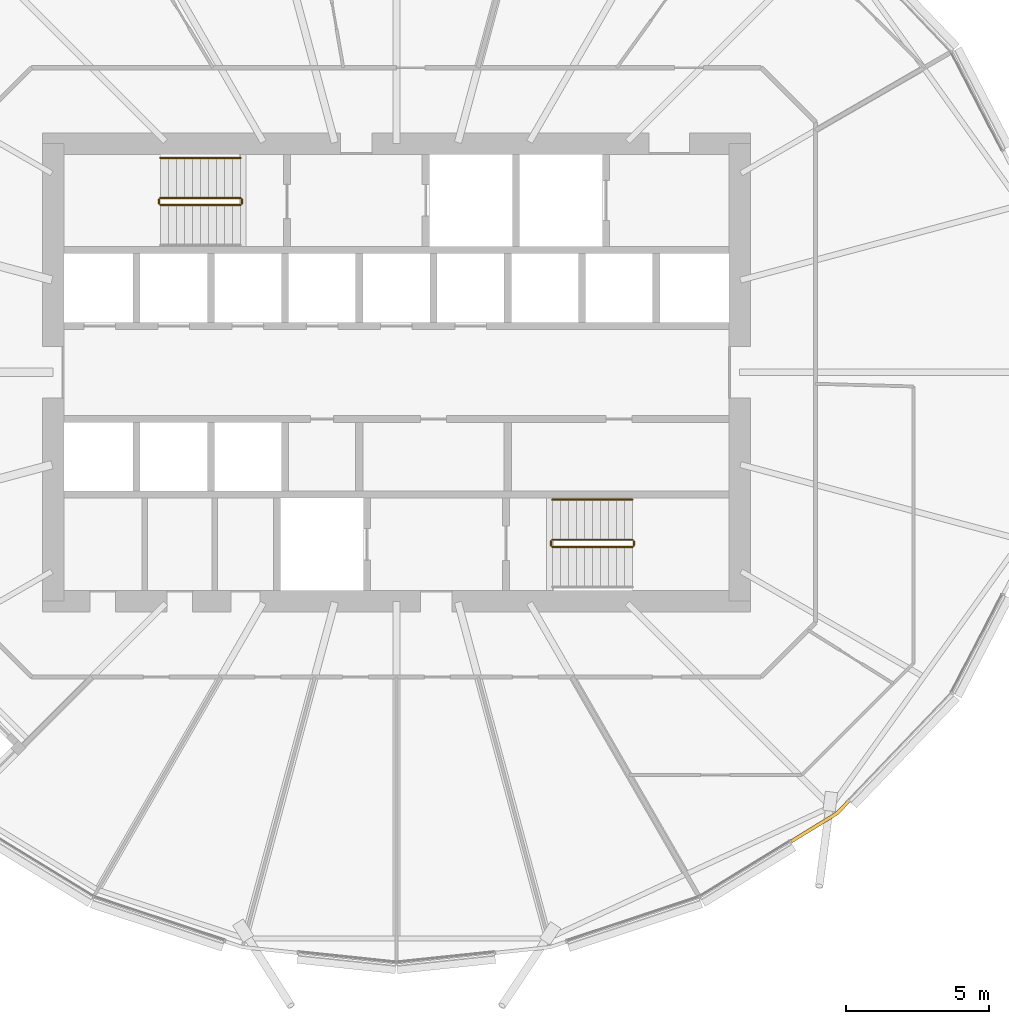
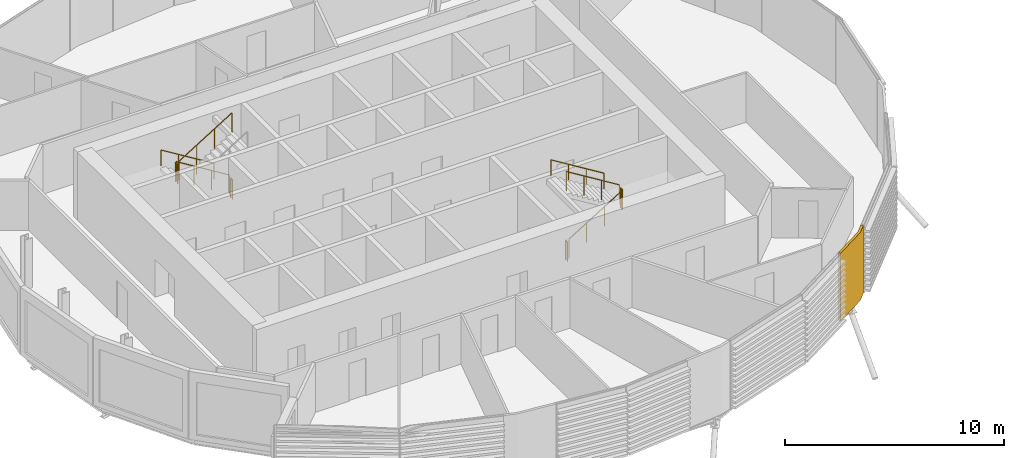
# One storey, part 34 of 38: 10 railings, 1 covering.
"""IFC4 building model written with IfcOpenShell, lengths in metres."""

from ifc_helpers import new_model, si_unit, direction, frame, origin, origin_2d, place, context, subcontext, project, spatial, polyline, circle, outline, extrude, material, layer, layer_set, type_object, element, save


model = new_model("IFC4")

# Units and contexts
model_context = context("Model", 3, precision=1e-05, world=origin(), true_north=direction((0.0, 1.0)))
body_context = subcontext(model_context, "Body", "Model", "MODEL_VIEW")
ifc_project = project(units=[si_unit("LENGTHUNIT", "METRE"), si_unit("AREAUNIT", "SQUARE_METRE"), si_unit("VOLUMEUNIT", "CUBIC_METRE"), si_unit("PLANEANGLEUNIT", "RADIAN"), si_unit("MASSUNIT", "GRAM", prefix="KILO")], contexts=[model_context])

# Site, building, storey
site_placement = place(None, origin())
site = spatial("IfcSite", under=ifc_project, at=site_placement, CompositionType="ELEMENT")
building_placement = place(site_placement, origin())
building = spatial("IfcBuilding", under=site, at=building_placement, Name="Rimbun Link Towers", CompositionType="ELEMENT")
storey_placement = place(building_placement, frame((0.0, 0.0, 123.39990234375)))
storey = spatial("IfcBuildingStorey", under=building, at=storey_placement, Name="L30", CompositionType="ELEMENT", Elevation=123.39990234375)

# Covering
ifc_material_1 = material(Name="Terracotta", Category="masonry")
ifc_layer = layer(ifc_material_1, 0.1201171875)
ifc_layer_set = layer_set([ifc_layer], Name="LINK PIER terracotta cladding 120")
covering_type = type_object("IfcCoveringType", Name="LINK PIER terracotta cladding 120", PredefinedType="CLADDING", material=ifc_layer_set)
covering_placement = place(storey_placement, origin())
element("IfcCovering", 1, at=covering_placement, inside=storey, type_object=covering_type, Name="LINK PIER cladding", PredefinedType="CLADDING", context=body_context, shape_type="SweptSolid", body=[
    extrude(outline(polyline([(-15.989990234375, -14.9541015625), (-16.384521484375, -15.365478515625), (-17.97802734375, -16.343994140625), (-17.915283203125, -16.4462890625), (-16.308349609375, -15.459716796875), (-15.9033203125, -15.037109375), (-15.989990234375, -14.9541015625)])), origin(), (0.0, 0.0, 1.0), 3.800048828125),
])

# Railings
ifc_material_2 = material(Name="Stainless steel grade 316", Category="steel")
railing_type_1 = type_object("IfcRailingType", Name="Stair guard", PredefinedType="GUARDRAIL", material=ifc_material_2)
railing_1_placement = place(storey_placement, frame((-37.199951171875, 6.10009765625, 0.1728515625)))
element("IfcRailing", 2, at=railing_1_placement, inside=storey, type_object=railing_type_1, Name="L30 ST1 stair guard 1", PredefinedType="GUARDRAIL", context=body_context, shape_type="SweptSolid", body=[
    extrude(circle(Radius=0.02392578125, at=origin_2d()), frame((0.0, 0.0, 1.076171875), z_axis=(-0.851089632645, 0.0, 0.525020415988), x_axis=(0.0, -1.0, 0.0)), (0.0, 0.0, 1.0), 3.2900390625),
    extrude(circle(Radius=0.02099609375, at=origin_2d()), origin(), (0.0, 0.0, 1.0), 1.052001953125),
    extrude(circle(Radius=0.02099609375, at=origin_2d()), frame((-0.933349609375, 0.0, 0.57568359375)), (0.0, 0.0, 1.0), 1.052001953125),
    extrude(circle(Radius=0.02099609375, at=origin_2d()), frame((-1.86669921875, 0.0, 1.151611328125)), (0.0, 0.0, 1.0), 1.052001953125),
    extrude(circle(Radius=0.02099609375, at=origin_2d()), frame((-2.800048828125, 0.0, 1.727294921875)), (0.0, 0.0, 1.0), 1.052001953125),
])
railing_2_placement = place(storey_placement, frame((-40.050048828125, 6.050048828125, 1.900146484375)))
element("IfcRailing", 3, at=railing_2_placement, inside=storey, type_object=railing_type_1, Name="L30 ST1 stair guard 2", PredefinedType="GUARDRAIL", context=body_context, shape_type="SweptSolid", body=[
    extrude(circle(Radius=0.02392578125, at=origin_2d()), frame((0.0, 0.0, 1.076171875), z_axis=(0.0, -1.0, 0.0), x_axis=(1.0, 0.0, 0.0)), (0.0, 0.0, 1.0), 0.150146484375),
    extrude(circle(Radius=0.02099609375, at=origin_2d()), origin(), (0.0, 0.0, 1.0), 1.052001953125),
    extrude(circle(Radius=0.02099609375, at=origin_2d()), frame((0.0, -0.150146484375, 0.0)), (0.0, 0.0, 1.0), 1.052001953125),
])
railing_3_placement = place(storey_placement, frame((-40.0, 5.85009765625, 2.07275390625)))
element("IfcRailing", 4, at=railing_3_placement, inside=storey, type_object=railing_type_1, Name="L30 ST1 stair guard 3", PredefinedType="GUARDRAIL", context=body_context, shape_type="SweptSolid", body=[
    extrude(circle(Radius=0.02392578125, at=origin_2d()), frame((0.0, 0.0, 1.076171875), z_axis=(0.851089632645, 0.0, 0.525020415988), x_axis=(0.0, 1.0, 0.0)), (0.0, 0.0, 1.0), 3.2900390625),
    extrude(circle(Radius=0.02099609375, at=origin_2d()), origin(), (0.0, 0.0, 1.0), 1.052001953125),
    extrude(circle(Radius=0.02099609375, at=origin_2d()), frame((0.933349609375, 0.0, 0.57568359375)), (0.0, 0.0, 1.0), 1.052001953125),
    extrude(circle(Radius=0.02099609375, at=origin_2d()), frame((1.86669921875, 0.0, 1.151611328125)), (0.0, 0.0, 1.0), 1.052001953125),
    extrude(circle(Radius=0.02099609375, at=origin_2d()), frame((2.800048828125, 0.0, 1.727294921875)), (0.0, 0.0, 1.0), 1.052001953125),
])
railing_4_placement = place(storey_placement, frame((-37.14990234375, 6.050048828125, 0.0)))
element("IfcRailing", 5, at=railing_4_placement, inside=storey, type_object=railing_type_1, Name="L30 ST1 stair guard 4", PredefinedType="GUARDRAIL", context=body_context, shape_type="SweptSolid", body=[
    extrude(circle(Radius=0.02392578125, at=origin_2d()), frame((0.0, 0.0, 1.076171875), z_axis=(0.0, -1.0, 0.0), x_axis=(1.0, 0.0, 0.0)), (0.0, 0.0, 1.0), 0.150146484375),
    extrude(circle(Radius=0.02099609375, at=origin_2d()), origin(), (0.0, 0.0, 1.0), 1.052001953125),
    extrude(circle(Radius=0.02099609375, at=origin_2d()), frame((0.0, -0.150146484375, 0.0)), (0.0, 0.0, 1.0), 1.052001953125),
])
railing_5_placement = place(storey_placement, frame((-26.300048828125, -6.10009765625, 0.1728515625)))
element("IfcRailing", 6, at=railing_5_placement, inside=storey, type_object=railing_type_1, Name="L30 ST2 stair guard 1", PredefinedType="GUARDRAIL", context=body_context, shape_type="SweptSolid", body=[
    extrude(circle(Radius=0.02392578125, at=origin_2d()), frame((0.0, 0.0, 1.076171875), z_axis=(0.851089632645, 0.0, 0.525020415988), x_axis=(0.0, 1.0, 0.0)), (0.0, 0.0, 1.0), 3.2900390625),
    extrude(circle(Radius=0.02099609375, at=origin_2d()), origin(), (0.0, 0.0, 1.0), 1.052001953125),
    extrude(circle(Radius=0.02099609375, at=origin_2d()), frame((0.933349609375, 0.0, 0.57568359375)), (0.0, 0.0, 1.0), 1.052001953125),
    extrude(circle(Radius=0.02099609375, at=origin_2d()), frame((1.86669921875, 0.0, 1.151611328125)), (0.0, 0.0, 1.0), 1.052001953125),
    extrude(circle(Radius=0.02099609375, at=origin_2d()), frame((2.800048828125, 0.0, 1.727294921875)), (0.0, 0.0, 1.0), 1.052001953125),
])
railing_6_placement = place(storey_placement, frame((-23.449951171875, -6.050048828125, 1.900146484375)))
element("IfcRailing", 7, at=railing_6_placement, inside=storey, type_object=railing_type_1, Name="L30 ST2 stair guard 2", PredefinedType="GUARDRAIL", context=body_context, shape_type="SweptSolid", body=[
    extrude(circle(Radius=0.02392578125, at=origin_2d()), frame((0.0, 0.0, 1.076171875), z_axis=(0.0, 1.0, 0.0), x_axis=(-1.0, 0.0, 0.0)), (0.0, 0.0, 1.0), 0.150146484375),
    extrude(circle(Radius=0.02099609375, at=origin_2d()), origin(), (0.0, 0.0, 1.0), 1.052001953125),
    extrude(circle(Radius=0.02099609375, at=origin_2d()), frame((0.0, 0.150146484375, 0.0)), (0.0, 0.0, 1.0), 1.052001953125),
])
railing_7_placement = place(storey_placement, frame((-23.5, -5.85009765625, 2.07275390625)))
element("IfcRailing", 8, at=railing_7_placement, inside=storey, type_object=railing_type_1, Name="L30 ST2 stair guard 3", PredefinedType="GUARDRAIL", context=body_context, shape_type="SweptSolid", body=[
    extrude(circle(Radius=0.02392578125, at=origin_2d()), frame((0.0, 0.0, 1.076171875), z_axis=(-0.851089632645, 0.0, 0.525020415988), x_axis=(0.0, -1.0, 0.0)), (0.0, 0.0, 1.0), 3.2900390625),
    extrude(circle(Radius=0.02099609375, at=origin_2d()), origin(), (0.0, 0.0, 1.0), 1.052001953125),
    extrude(circle(Radius=0.02099609375, at=origin_2d()), frame((-0.933349609375, 0.0, 0.57568359375)), (0.0, 0.0, 1.0), 1.052001953125),
    extrude(circle(Radius=0.02099609375, at=origin_2d()), frame((-1.86669921875, 0.0, 1.151611328125)), (0.0, 0.0, 1.0), 1.052001953125),
    extrude(circle(Radius=0.02099609375, at=origin_2d()), frame((-2.800048828125, 0.0, 1.727294921875)), (0.0, 0.0, 1.0), 1.052001953125),
])
railing_8_placement = place(storey_placement, frame((-26.35009765625, -6.050048828125, 0.0)))
element("IfcRailing", 9, at=railing_8_placement, inside=storey, type_object=railing_type_1, Name="L30 ST2 stair guard 4", PredefinedType="GUARDRAIL", context=body_context, shape_type="SweptSolid", body=[
    extrude(circle(Radius=0.02392578125, at=origin_2d()), frame((0.0, 0.0, 1.076171875), z_axis=(0.0, 1.0, 0.0), x_axis=(-1.0, 0.0, 0.0)), (0.0, 0.0, 1.0), 0.150146484375),
    extrude(circle(Radius=0.02099609375, at=origin_2d()), origin(), (0.0, 0.0, 1.0), 1.052001953125),
    extrude(circle(Radius=0.02099609375, at=origin_2d()), frame((0.0, 0.150146484375, 0.0)), (0.0, 0.0, 1.0), 1.052001953125),
])
ifc_material_3 = material(Name="Stainless steel grade 316", Category="steel")
railing_type_2 = type_object("IfcRailingType", Name="Stair handrail", PredefinedType="HANDRAIL", material=ifc_material_3)
for number, where, name in (
    (10, (-37.199951171875, 7.5, 0.1728515625), "L30 ST1 stair handrail 1"),
    (11, (-23.5, -4.449951171875, 2.07275390625), "L30 ST2 stair handrail 2"),
):
    element("IfcRailing", number, at=place(storey_placement, frame(where)), inside=storey, type_object=railing_type_2, Name=name, PredefinedType="HANDRAIL", context=body_context, shape_type="SweptSolid", body=[
        extrude(circle(Radius=0.02392578125, at=origin_2d()), frame((0.0, 0.0, 0.8759765625), z_axis=(-0.851089632645, 0.0, 0.525020415988), x_axis=(0.0, -1.0, 0.0)), (0.0, 0.0, 1.0), 3.2900390625),
        extrude(circle(Radius=0.02099609375, at=origin_2d()), origin(), (0.0, 0.0, 1.0), 0.851806640625),
        extrude(circle(Radius=0.02099609375, at=origin_2d()), frame((-0.933349609375, 0.0, 0.57568359375)), (0.0, 0.0, 1.0), 0.851806640625),
        extrude(circle(Radius=0.02099609375, at=origin_2d()), frame((-1.86669921875, 0.0, 1.151611328125)), (0.0, 0.0, 1.0), 0.851806640625),
        extrude(circle(Radius=0.02099609375, at=origin_2d()), frame((-2.800048828125, 0.0, 1.727294921875)), (0.0, 0.0, 1.0), 0.851806640625),
    ])

save(model, "model.ifc")
